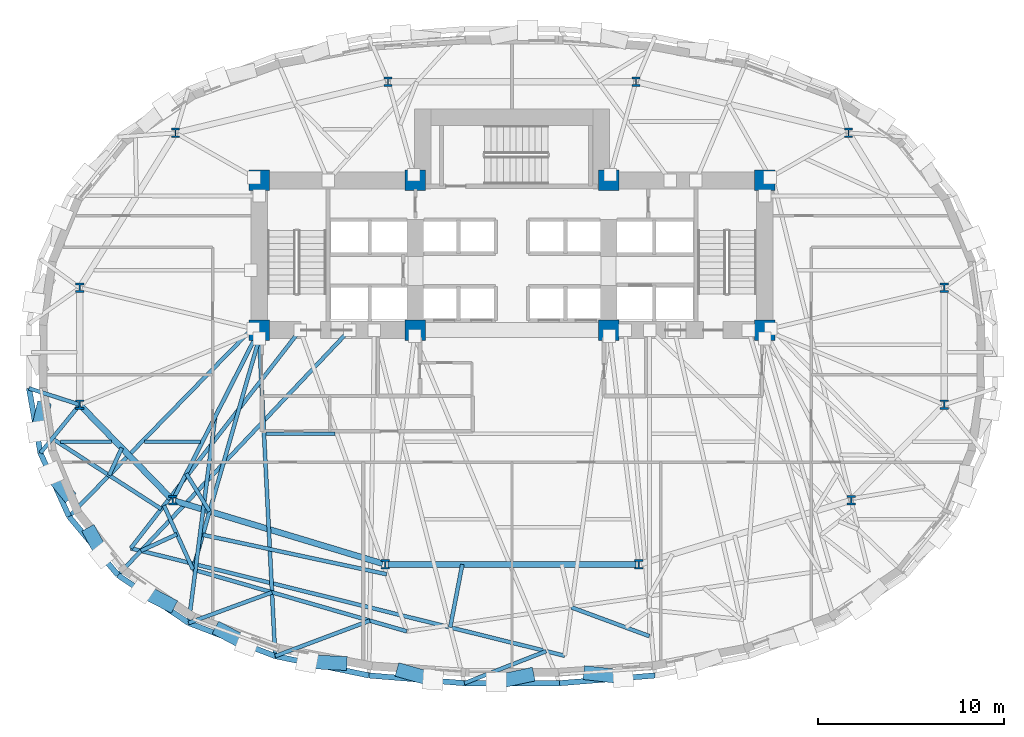
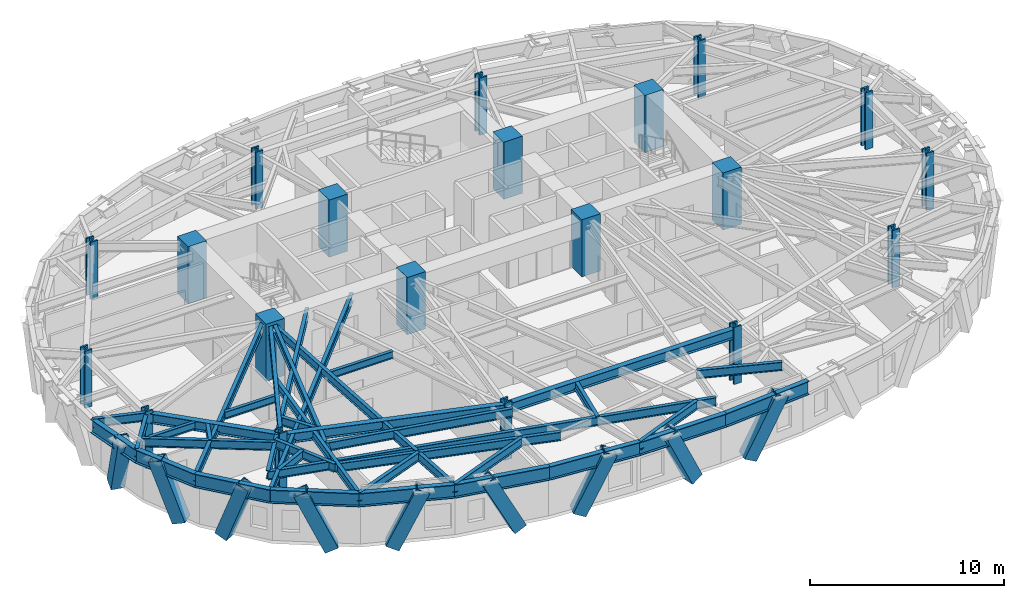
# One storey, part 1 of 13: 37 beams, 20 columns, 9 members.
"""IFC4 building model written with IfcOpenShell, lengths in metres."""

from ifc_helpers import new_model, si_unit, direction, frame, origin, origin_2d, place, context, subcontext, project, spatial, rectangle, hollow_rectangle, i_section, extrude, material, material_profile, profile_set, type_object, element, save


model = new_model("IFC4")

# Units and contexts
model_context = context("Model", 3, precision=1e-05, world=origin(), true_north=direction((0.0, 1.0)))
body_context = subcontext(model_context, "Body", "Model", "MODEL_VIEW")
ifc_project = project(units=[si_unit("LENGTHUNIT", "METRE"), si_unit("AREAUNIT", "SQUARE_METRE"), si_unit("VOLUMEUNIT", "CUBIC_METRE"), si_unit("PLANEANGLEUNIT", "RADIAN"), si_unit("MASSUNIT", "GRAM", prefix="KILO")], contexts=[model_context])

# Site, building, storey
site_placement = place(None, origin())
site = spatial("IfcSite", under=ifc_project, at=site_placement, CompositionType="ELEMENT")
building_placement = place(site_placement, origin())
building = spatial("IfcBuilding", under=site, at=building_placement, Name="Keldmark Tower", CompositionType="ELEMENT")
storey_placement = place(building_placement, frame((0.0, 0.0, 30.60009765625)))
storey = spatial("IfcBuildingStorey", under=building, at=storey_placement, Name="L07", CompositionType="ELEMENT", Elevation=30.60009765625)

# Columns
ifc_material_1 = material(Name="Concrete C70/85", Category="concrete")
ifc_material_profile_1 = material_profile(ifc_material_1, rectangle(XDim=1.10009765625, YDim=1.10009765625, at=origin_2d()), Name="RC1100X1100")
ifc_profile_set_1 = profile_set([ifc_material_profile_1], Name="Concrete C70/85")
column_type_1 = type_object("IfcColumnType", Name="Core Boundary Column RC1100", PredefinedType="COLUMN", material=ifc_profile_set_1)
for number, where, z_axis, x_axis, name in (
    (1, (-13.60009765625, 1.39990234375, 0.0), (0.0, 0.0, 1.0), (1.0, 0.0, 0.0), "L07 Core Boundary Column CC-W1"),
    (2, (-13.60009765625, 9.449951171875, 0.0), (0.0, 0.0, 1.0), (1.0, 0.0, 0.0), "L07 Core Boundary Column CC-W2"),
    (3, (-5.199951171875, 1.39990234375, 0.0), (0.0, 0.0, 1.0), (1.0, 0.0, 0.0), "L07 Core Boundary Column CC-W3"),
    (4, (-5.199951171875, 9.449951171875, 0.0), (0.0, 0.0, 1.0), (1.0, 0.0, 0.0), "L07 Core Boundary Column CC-W4"),
    (5, (5.199951171875, 1.39990234375, 0.0), (0.0, 0.0, 1.0), (1.0, 0.0, 0.0), "L07 Core Boundary Column CC-E1"),
    (6, (5.199951171875, 9.449951171875, 0.0), (0.0, 0.0, 1.0), (1.0, 0.0, 0.0), "L07 Core Boundary Column CC-E2"),
    (7, (13.60009765625, 1.39990234375, 0.0), (0.0, 0.0, 1.0), (1.0, 0.0, 0.0), "L07 Core Boundary Column CC-E3"),
    (8, (13.60009765625, 9.449951171875, 0.0), (0.0, 0.0, 1.0), (1.0, 0.0, 0.0), "L07 Core Boundary Column CC-E4"),
):
    element("IfcColumn", number, at=place(storey_placement, frame(where, z_axis=z_axis, x_axis=x_axis)), inside=storey, type_object=column_type_1, Name=name, PredefinedType="COLUMN", context=body_context, shape_type="SweptSolid", body=[
        extrude(rectangle(XDim=1.10009765625, YDim=1.10009765625, at=origin_2d()), origin(), (0.0, 0.0, 1.0), 3.599853515625),
    ])
ifc_material_2 = material(Name="Steel ASTM A992 Grade 50", Category="steel")
ifc_material_profile_2 = material_profile(ifc_material_2, i_section(OverallWidth=0.43701171875, OverallDepth=0.513916015625, WebThickness=0.060546875, FlangeThickness=0.096923828125, at=origin_2d()), Name="W14X550")
ifc_profile_set_2 = profile_set([ifc_material_profile_2], Name="Steel ASTM A992 Grade 50")
column_type_2 = type_object("IfcColumnType", Name="Tower Gravity Column W14X550", PredefinedType="COLUMN", material=ifc_profile_set_2)
for number, where, z_axis, x_axis, name in (
    (9, (23.25390625, 3.67724609375, 0.0), (0.0, 0.0, 1.0), (1.0, 0.0, 0.0), "L07 Tower Gravity Column TC-E1"),
    (10, (18.09765625, 12.00732421875, 0.0), (0.0, 0.0, 1.0), (1.0, 0.0, 0.0), "L07 Tower Gravity Column TC-E4"),
    (11, (6.6650390625, 14.760009765625, 0.0), (0.0, 0.0, 1.0), (1.0, 0.0, 0.0), "L07 Tower Gravity Column TC-N2"),
    (12, (-6.6650390625, 14.760009765625, 0.0), (0.0, 0.0, 1.0), (1.0, 0.0, 0.0), "L07 Tower Gravity Column TC-N1"),
    (13, (-18.09765625, 12.00732421875, 0.0), (0.0, 0.0, 1.0), (1.0, 0.0, 0.0), "L07 Tower Gravity Column TC-W4"),
    (14, (-23.25390625, 3.67724609375, 0.0), (0.0, 0.0, 1.0), (1.0, 0.0, 0.0), "L07 Tower Gravity Column TC-W1"),
    (15, (-23.25390625, -2.61328125, 0.0), (0.0, 0.0, 1.0), (1.0, 0.0, 0.0), "L07 Tower Gravity Column TC-W5"),
    (16, (-18.252685546875, -7.755615234375, 0.0), (0.0, 0.0, 1.0), (1.0, 0.0, 0.0), "L07 Tower Gravity Column TC-W2"),
    (17, (-6.822021484375, -11.205810546875, 0.0), (0.0, 0.0, 1.0), (1.0, 0.0, 0.0), "L07 Tower Gravity Column TC-W3"),
    (18, (6.822021484375, -11.205810546875, 0.0), (0.0, 0.0, 1.0), (1.0, 0.0, 0.0), "L07 Tower Gravity Column TC-E3"),
    (19, (18.252685546875, -7.755615234375, 0.0), (0.0, 0.0, 1.0), (1.0, 0.0, 0.0), "L07 Tower Gravity Column TC-E2"),
    (20, (23.25390625, -2.61328125, 0.0), (0.0, 0.0, 1.0), (1.0, 0.0, 0.0), "L07 Tower Gravity Column TC-E5"),
):
    element("IfcColumn", number, at=place(storey_placement, frame(where, z_axis=z_axis, x_axis=x_axis)), inside=storey, type_object=column_type_2, Name=name, PredefinedType="COLUMN", context=body_context, shape_type="SweptSolid", body=[
        extrude(i_section(OverallWidth=0.43701171875, OverallDepth=0.513916015625, WebThickness=0.060546875, FlangeThickness=0.096923828125, at=origin_2d()), origin(), (0.0, 0.0, 1.0), 3.599853515625),
    ])

# Beams
ifc_material_3 = material(Name="Steel ASTM A992 Grade 50", Category="steel")
ifc_material_profile_3 = material_profile(ifc_material_3, i_section(OverallWidth=0.19091796875, OverallDepth=0.45703125, WebThickness=0.009033203125, FlangeThickness=0.014404296875, at=origin_2d()), Name="W18X50")
ifc_profile_set_3 = profile_set([ifc_material_profile_3], Name="Steel ASTM A992 Grade 50")
beam_type_1 = type_object("IfcBeamType", Name="Composite Floor Joist W18X50", PredefinedType="JOIST", material=ifc_profile_set_3)
beam_1_placement = place(storey_placement, frame((-24.293212890625, -4.60009765625, 3.17138671875), z_axis=(1.0, 0.0, 0.0), x_axis=(0.0, 1.0, 0.0)))
element("IfcBeam", 21, at=beam_1_placement, inside=storey, type_object=beam_type_1, Name="L07 Composite Floor Joist J05", PredefinedType="JOIST", context=body_context, shape_type="SweptSolid", body=[
    extrude(i_section(OverallWidth=0.19091796875, OverallDepth=0.45703125, WebThickness=0.009033203125, FlangeThickness=0.014404296875, at=origin_2d()), origin(), (0.0, 0.0, 1.0), 2.756103515625),
])
beam_2_placement = place(storey_placement, frame((-19.76708984375, -4.60009765625, 3.17138671875), z_axis=(1.0, 0.0, 0.0), x_axis=(0.0, 1.0, 0.0)))
element("IfcBeam", 22, at=beam_2_placement, inside=storey, type_object=beam_type_1, Name="L07 Composite Floor Joist J06", PredefinedType="JOIST", context=body_context, shape_type="SweptSolid", body=[
    extrude(i_section(OverallWidth=0.19091796875, OverallDepth=0.45703125, WebThickness=0.009033203125, FlangeThickness=0.014404296875, at=origin_2d()), origin(), (0.0, 0.0, 1.0), 3.00732421875),
])
beam_3_placement = place(storey_placement, frame((-13.2451171875, -4.179931640625, 3.17138671875), z_axis=(1.0, 0.0, 0.0), x_axis=(0.0, 1.0, 0.0)))
element("IfcBeam", 23, at=beam_3_placement, inside=storey, type_object=beam_type_1, Name="L07 Composite Floor Joist J07", PredefinedType="JOIST", context=body_context, shape_type="SweptSolid", body=[
    extrude(i_section(OverallWidth=0.19091796875, OverallDepth=0.45703125, WebThickness=0.009033203125, FlangeThickness=0.014404296875, at=origin_2d()), origin(), (0.0, 0.0, 1.0), 3.724609375),
])

# Members
ifc_material_4 = material(Name="Steel ASTM A572 Grade 50", Category="steel")
ifc_material_profile_4 = material_profile(ifc_material_4, hollow_rectangle(XDim=0.75, YDim=0.75, WallThickness=0.06494140625, at=origin_2d()), Name="BOX750X750X65")
ifc_profile_set_4 = profile_set([ifc_material_profile_4], Name="Steel ASTM A572 Grade 50")
member_type = type_object("IfcMemberType", Name="Diagrid Lower Brace BOX750X750X65", PredefinedType="BRACE", material=ifc_profile_set_4)
member_1_placement = place(storey_placement, frame((-25.229736328125, -2.833984375, -0.280029296875), z_axis=(-0.075225400838, -0.321423507025, 0.943942831002), x_axis=(0.973689104632, -0.227880511497, 0.0)))
element("IfcMember", 24, at=member_1_placement, inside=storey, type_object=member_type, Name="L07 Perimeter Diagrid Brace 09A", PredefinedType="BRACE", context=body_context, shape_type="SweptSolid", body=[
    extrude(hollow_rectangle(XDim=0.75, YDim=0.75, WallThickness=0.06494140625, at=origin_2d()), origin(), (0.0, 0.0, 1.0), 3.771240234375),
])
member_2_placement = place(storey_placement, frame((-23.956787109375, -7.371826171875, -0.280029296875), z_axis=(-0.221303078076, 0.27330641235, 0.936124218575), x_axis=(-0.777168338782, -0.62929275635, 0.0)))
element("IfcMember", 25, at=member_2_placement, inside=storey, type_object=member_type, Name="L07 Perimeter Diagrid Brace 09B", PredefinedType="BRACE", context=body_context, shape_type="SweptSolid", body=[
    extrude(hollow_rectangle(XDim=0.75, YDim=0.75, WallThickness=0.06494140625, at=origin_2d()), origin(), (0.0, 0.0, 1.0), 3.802734375),
])
member_3_placement = place(storey_placement, frame((-22.650390625, -9.545654296875, -0.280029296875), z_axis=(0.165332061105, -0.304609847989, 0.93801820349), x_axis=(0.878886784033, 0.477030419211, 0.0)))
element("IfcMember", 26, at=member_3_placement, inside=storey, type_object=member_type, Name="L07 Perimeter Diagrid Brace 10A", PredefinedType="BRACE", context=body_context, shape_type="SweptSolid", body=[
    extrude(hollow_rectangle(XDim=0.75, YDim=0.75, WallThickness=0.06494140625, at=origin_2d()), origin(), (0.0, 0.0, 1.0), 3.794921875),
])
member_4_placement = place(storey_placement, frame((-18.45849609375, -13.341796875, -0.280029296875), z_axis=(-0.365181003945, 0.18946655648, 0.911452279789), x_axis=(-0.46053446797, -0.887641821802, 0.0)))
element("IfcMember", 27, at=member_4_placement, inside=storey, type_object=member_type, Name="L07 Perimeter Diagrid Brace 10B", PredefinedType="BRACE", context=body_context, shape_type="SweptSolid", body=[
    extrude(hollow_rectangle(XDim=0.75, YDim=0.75, WallThickness=0.06494140625, at=origin_2d()), origin(), (0.0, 0.0, 1.0), 3.90576171875),
])
member_5_placement = place(storey_placement, frame((-15.656005859375, -14.754638671875, -0.280029296875), z_axis=(0.359953436715, -0.190780958454, 0.913255796197), x_axis=(0.468304439483, 0.88356717456, 0.0)))
element("IfcMember", 28, at=member_5_placement, inside=storey, type_object=member_type, Name="L07 Perimeter Diagrid Brace 11A", PredefinedType="BRACE", context=body_context, shape_type="SweptSolid", body=[
    extrude(hollow_rectangle(XDim=0.75, YDim=0.75, WallThickness=0.06494140625, at=origin_2d()), origin(), (0.0, 0.0, 1.0), 3.89794921875),
])
member_6_placement = place(storey_placement, frame((-9.212646484375, -16.5234375, -0.280029296875), z_axis=(-0.454340439565, 0.022597924807, 0.890541463813), x_axis=(-0.049676459756, -0.998765362508, 0.0)))
element("IfcMember", 29, at=member_6_placement, inside=storey, type_object=member_type, Name="L07 Perimeter Diagrid Brace 11B", PredefinedType="BRACE", context=body_context, shape_type="SweptSolid", body=[
    extrude(hollow_rectangle(XDim=0.75, YDim=0.75, WallThickness=0.06494140625, at=origin_2d()), origin(), (0.0, 0.0, 1.0), 3.997314453125),
])
member_7_placement = place(storey_placement, frame((-5.864013671875, -16.95068359375, -0.280029296875), z_axis=(0.409407161266, -0.114286366018, 0.905165400822), x_axis=(0.26887144066, 0.963176073414, 0.0)))
element("IfcMember", 30, at=member_7_placement, inside=storey, type_object=member_type, Name="L07 Perimeter Diagrid Brace 12A", PredefinedType="BRACE", context=body_context, shape_type="SweptSolid", body=[
    extrude(hollow_rectangle(XDim=0.75, YDim=0.75, WallThickness=0.06494140625, at=origin_2d()), origin(), (0.0, 0.0, 1.0), 3.932861328125),
])
member_8_placement = place(storey_placement, frame((0.841796875, -17.17822265625, -0.280029296875), z_axis=(-0.426891227768, -0.090586343215, 0.899754407645), x_axis=(0.207578015092, -0.978218466218, 0.0)))
element("IfcMember", 31, at=member_8_placement, inside=storey, type_object=member_type, Name="L07 Perimeter Diagrid Brace 12B", PredefinedType="BRACE", context=body_context, shape_type="SweptSolid", body=[
    extrude(hollow_rectangle(XDim=0.75, YDim=0.75, WallThickness=0.06494140625, at=origin_2d()), origin(), (0.0, 0.0, 1.0), 3.95654296875),
])
member_9_placement = place(storey_placement, frame((4.188720703125, -17.063232421875, -0.280029296875), z_axis=(0.448411907216, -0.049089045808, 0.892478026087), x_axis=(0.108822964679, 0.994061146187, 0.0)))
element("IfcMember", 32, at=member_9_placement, inside=storey, type_object=member_type, Name="L07 Perimeter Diagrid Brace 13A", PredefinedType="BRACE", context=body_context, shape_type="SweptSolid", body=[
    extrude(hollow_rectangle(XDim=0.75, YDim=0.75, WallThickness=0.06494140625, at=origin_2d()), origin(), (0.0, 0.0, 1.0), 3.98876953125),
])

# Beams
ifc_material_5 = material(Name="Steel ASTM A992 Grade 50", Category="steel")
ifc_material_profile_5 = material_profile(ifc_material_5, i_section(OverallWidth=0.323974609375, OverallDepth=0.611083984375, WebThickness=0.0126953125, FlangeThickness=0.01904296875, at=origin_2d()), Name="W24X104")
ifc_profile_set_5 = profile_set([ifc_material_profile_5], Name="Steel ASTM A992 Grade 50")
beam_type_2 = type_object("IfcBeamType", Name="Primary Floor Girder W24X104", PredefinedType="BEAM", material=ifc_profile_set_5)
beam_4_placement = place(storey_placement, frame((-23.156494140625, -2.713623046875, 3.094482421875), z_axis=(0.697210382268, -0.716866572563, 0.0), x_axis=(0.716866572563, 0.697210382268, 0.0)))
element("IfcBeam", 33, at=beam_4_placement, inside=storey, type_object=beam_type_2, Name="L07 Floor Ring Girder FG-R07", PredefinedType="BEAM", context=body_context, shape_type="SweptSolid", body=[
    extrude(i_section(OverallWidth=0.323974609375, OverallDepth=0.611083984375, WebThickness=0.0126953125, FlangeThickness=0.01904296875, at=origin_2d()), origin(), (0.0, 0.0, 1.0), 6.893310546875),
])
beam_5_placement = place(storey_placement, frame((-18.118896484375, -7.796142578125, 3.094482421875), z_axis=(0.957346071406, -0.2889437654, 0.0), x_axis=(0.2889437654, 0.957346071406, 0.0)))
element("IfcBeam", 34, at=beam_5_placement, inside=storey, type_object=beam_type_2, Name="L07 Floor Ring Girder FG-R08", PredefinedType="BEAM", context=body_context, shape_type="SweptSolid", body=[
    extrude(i_section(OverallWidth=0.323974609375, OverallDepth=0.611083984375, WebThickness=0.0126953125, FlangeThickness=0.01904296875, at=origin_2d()), origin(), (0.0, 0.0, 1.0), 11.66015625),
])
beam_6_placement = place(storey_placement, frame((-6.68212890625, -11.205810546875, 3.094482421875), z_axis=(1.0, 0.0, 0.0), x_axis=(0.0, 1.0, 0.0)))
element("IfcBeam", 35, at=beam_6_placement, inside=storey, type_object=beam_type_2, Name="L07 Floor Ring Girder FG-R09", PredefinedType="BEAM", context=body_context, shape_type="SweptSolid", body=[
    extrude(i_section(OverallWidth=0.323974609375, OverallDepth=0.611083984375, WebThickness=0.0126953125, FlangeThickness=0.01904296875, at=origin_2d()), origin(), (0.0, 0.0, 1.0), 13.3642578125),
])
ifc_material_6 = material(Name="Steel ASTM A992 Grade 50", Category="steel")
ifc_material_profile_6 = material_profile(ifc_material_6, i_section(OverallWidth=0.2099609375, OverallDepth=0.537109375, WebThickness=0.010986328125, FlangeThickness=0.017333984375, at=origin_2d()), Name="W21X68")
ifc_profile_set_6 = profile_set([ifc_material_profile_6], Name="Steel ASTM A992 Grade 50")
beam_type_3 = type_object("IfcBeamType", Name="Radial Tie Girder W21X68", PredefinedType="BEAM", material=ifc_profile_set_6)
beam_7_placement = place(storey_placement, frame((-17.522705078125, -6.319091796875, 3.13134765625), z_axis=(0.524228528876, -0.851577623891, 0.0), x_axis=(0.851577623891, 0.524228528876, 0.0)))
element("IfcBeam", 36, at=beam_7_placement, inside=storey, type_object=beam_type_3, Name="L07 Framing Pin Header PH-001", PredefinedType="BEAM", context=body_context, shape_type="SweptSolid", body=[
    extrude(i_section(OverallWidth=0.2099609375, OverallDepth=0.537109375, WebThickness=0.010986328125, FlangeThickness=0.017333984375, at=origin_2d()), origin(), (0.0, 0.0, 1.0), 2.3896484375),
])
beam_8_placement = place(storey_placement, frame((-13.60009765625, 0.949951171875, 3.13134765625), z_axis=(-0.275828214554, -0.961206947569, 0.0), x_axis=(0.961206947569, -0.275828214554, 0.0)))
element("IfcBeam", 37, at=beam_8_placement, inside=storey, type_object=beam_type_3, Name="L07 Sub-Ring Step Girder STP1-M08", PredefinedType="BEAM", context=body_context, shape_type="SweptSolid", body=[
    extrude(i_section(OverallWidth=0.2099609375, OverallDepth=0.537109375, WebThickness=0.010986328125, FlangeThickness=0.017333984375, at=origin_2d()), origin(), (0.0, 0.0, 1.0), 12.9296875),
])
beam_9_placement = place(storey_placement, frame((-16.631591796875, -9.614013671875, 3.13134765625), z_axis=(0.977745490429, -0.209794556521, 0.0), x_axis=(0.209794556521, 0.977745490429, 0.0)))
element("IfcBeam", 38, at=beam_9_placement, inside=storey, type_object=beam_type_3, Name="L07 Framing Pin Header PH-002", PredefinedType="BEAM", context=body_context, shape_type="SweptSolid", body=[
    extrude(i_section(OverallWidth=0.2099609375, OverallDepth=0.537109375, WebThickness=0.010986328125, FlangeThickness=0.017333984375, at=origin_2d()), origin(), (0.0, 0.0, 1.0), 10.111572265625),
])
beam_10_placement = place(storey_placement, frame((-17.16650390625, -11.478271484375, 3.13134765625), z_axis=(0.960599634971, -0.277935858236, 0.0), x_axis=(0.277935858236, 0.960599634971, 0.0)))
element("IfcBeam", 39, at=beam_10_placement, inside=storey, type_object=beam_type_3, Name="L07 Perimeter Collector Ring Beam CRG1-M08", PredefinedType="BEAM", context=body_context, shape_type="SweptSolid", body=[
    extrude(i_section(OverallWidth=0.2099609375, OverallDepth=0.537109375, WebThickness=0.010986328125, FlangeThickness=0.017333984375, at=origin_2d()), origin(), (0.0, 0.0, 1.0), 11.98046875),
])
beam_11_placement = place(storey_placement, frame((-17.16650390625, -11.478271484375, 3.13134765625), z_axis=(-0.412132103699, 0.911124101921, 0.0), x_axis=(-0.911124101921, -0.412132103699, 0.0)))
element("IfcBeam", 40, at=beam_11_placement, inside=storey, type_object=beam_type_3, Name="L07 Framing Pin Header PH-004", PredefinedType="BEAM", context=body_context, shape_type="SweptSolid", body=[
    extrude(i_section(OverallWidth=0.2099609375, OverallDepth=0.537109375, WebThickness=0.010986328125, FlangeThickness=0.017333984375, at=origin_2d()), origin(), (0.0, 0.0, 1.0), 3.777587890625),
])
beam_12_placement = place(storey_placement, frame((-11.392822265625, 1.39990234375, 3.13134765625), z_axis=(-0.613469804631, -0.789718176824, 0.0), x_axis=(0.789718176824, -0.613469804631, 0.0)))
element("IfcBeam", 41, at=beam_12_placement, inside=storey, type_object=beam_type_3, Name="L07 Sub-Ring Step Girder STP2-M08", PredefinedType="BEAM", context=body_context, shape_type="SweptSolid", body=[
    extrude(i_section(OverallWidth=0.2099609375, OverallDepth=0.537109375, WebThickness=0.010986328125, FlangeThickness=0.017333984375, at=origin_2d()), origin(), (0.0, 0.0, 1.0), 14.865966796875),
])
beam_13_placement = place(storey_placement, frame((-20.5126953125, -10.340087890625, 3.13134765625), z_axis=(0.970698837567, -0.240299327396, 0.0), x_axis=(0.240299327396, 0.970698837567, 0.0)))
element("IfcBeam", 42, at=beam_13_placement, inside=storey, type_object=beam_type_3, Name="L07 Perimeter Collector Ring Beam CRG2-M08", PredefinedType="BEAM", context=body_context, shape_type="SweptSolid", body=[
    extrude(i_section(OverallWidth=0.2099609375, OverallDepth=0.537109375, WebThickness=0.010986328125, FlangeThickness=0.017333984375, at=origin_2d()), origin(), (0.0, 0.0, 1.0), 24.05029296875),
])
beam_14_placement = place(storey_placement, frame((-23.25390625, -2.61328125, 3.13134765625), z_axis=(-0.951728677703, 0.306940587146, 0.0), x_axis=(-0.306940587146, -0.951728677703, 0.0)))
element("IfcBeam", 43, at=beam_14_placement, inside=storey, type_object=beam_type_3, Name="L07 Perimeter Column Bracket RT-17", PredefinedType="BEAM", context=body_context, shape_type="SweptSolid", body=[
    extrude(i_section(OverallWidth=0.2099609375, OverallDepth=0.537109375, WebThickness=0.010986328125, FlangeThickness=0.017333984375, at=origin_2d()), origin(), (0.0, 0.0, 1.0), 2.867431640625),
])
beam_15_placement = place(storey_placement, frame((-23.25390625, -2.61328125, 3.13134765625), z_axis=(-0.631179636321, -0.775636684726, 0.0), x_axis=(0.775636684726, -0.631179636321, 0.0)))
element("IfcBeam", 44, at=beam_15_placement, inside=storey, type_object=beam_type_3, Name="L07 Perimeter Column Bracket RT-18", PredefinedType="BEAM", context=body_context, shape_type="SweptSolid", body=[
    extrude(i_section(OverallWidth=0.2099609375, OverallDepth=0.537109375, WebThickness=0.010986328125, FlangeThickness=0.017333984375, at=origin_2d()), origin(), (0.0, 0.0, 1.0), 3.349609375),
])
beam_16_placement = place(storey_placement, frame((-24.73388671875, -4.431884765625, 3.13134765625), z_axis=(0.839713624055, -0.543029492364, 0.0), x_axis=(0.543029492364, 0.839713624055, 0.0)))
element("IfcBeam", 45, at=beam_16_placement, inside=storey, type_object=beam_type_3, Name="L07 Framing Pin Header PH-012", PredefinedType="BEAM", context=body_context, shape_type="SweptSolid", body=[
    extrude(i_section(OverallWidth=0.2099609375, OverallDepth=0.537109375, WebThickness=0.010986328125, FlangeThickness=0.017333984375, at=origin_2d()), origin(), (0.0, 0.0, 1.0), 6.98388671875),
])
beam_17_placement = place(storey_placement, frame((-18.022705078125, -9.585205078125, 3.13134765625), z_axis=(-0.908900581522, -0.417012868997, 0.0), x_axis=(0.417012868997, -0.908900581522, 0.0)))
element("IfcBeam", 46, at=beam_17_placement, inside=storey, type_object=beam_type_3, Name="L07 Framing Pin Header PH-013", PredefinedType="BEAM", context=body_context, shape_type="SweptSolid", body=[
    extrude(i_section(OverallWidth=0.2099609375, OverallDepth=0.537109375, WebThickness=0.010986328125, FlangeThickness=0.017333984375, at=origin_2d()), origin(), (0.0, 0.0, 1.0), 2.1357421875),
])
beam_18_placement = place(storey_placement, frame((-8.735595703125, 1.39990234375, 3.13134765625), z_axis=(-0.687011511609, -0.726646532309, 0.0), x_axis=(0.726646532309, -0.687011511609, 0.0)))
element("IfcBeam", 47, at=beam_18_placement, inside=storey, type_object=beam_type_3, Name="L07 Perimeter Radial Tie Girder RT-20", PredefinedType="BEAM", context=body_context, shape_type="SweptSolid", body=[
    extrude(i_section(OverallWidth=0.2099609375, OverallDepth=0.537109375, WebThickness=0.010986328125, FlangeThickness=0.017333984375, at=origin_2d()), origin(), (0.0, 0.0, 1.0), 18.140380859375),
])
beam_19_placement = place(storey_placement, frame((-15.96728515625, -3.258056640625, 3.13134765625), z_axis=(-0.127769184371, -0.991803929981, 0.0), x_axis=(0.991803929981, -0.127769184371, 0.0)))
element("IfcBeam", 48, at=beam_19_placement, inside=storey, type_object=beam_type_3, Name="L07 Perimeter Radial Tie Girder RT-21", PredefinedType="BEAM", context=body_context, shape_type="SweptSolid", body=[
    extrude(i_section(OverallWidth=0.2099609375, OverallDepth=0.537109375, WebThickness=0.010986328125, FlangeThickness=0.017333984375, at=origin_2d()), origin(), (0.0, 0.0, 1.0), 11.189697265625),
])
beam_20_placement = place(storey_placement, frame((-17.39697265625, -14.35595703125, 3.13134765625), z_axis=(0.938785461457, 0.344502332876, 0.0), x_axis=(-0.344502332876, 0.938785461457, 0.0)))
element("IfcBeam", 49, at=beam_20_placement, inside=storey, type_object=beam_type_3, Name="L07 Framing Pin Header PH-014", PredefinedType="BEAM", context=body_context, shape_type="SweptSolid", body=[
    extrude(i_section(OverallWidth=0.2099609375, OverallDepth=0.537109375, WebThickness=0.010986328125, FlangeThickness=0.017333984375, at=origin_2d()), origin(), (0.0, 0.0, 1.0), 4.778564453125),
])
beam_21_placement = place(storey_placement, frame((-13.60009765625, 0.949951171875, 3.13134765625), z_axis=(0.050380957591, -0.998730073199, 0.0), x_axis=(0.998730073199, 0.050380957591, 0.0)))
element("IfcBeam", 50, at=beam_21_placement, inside=storey, type_object=beam_type_3, Name="L07 Perimeter Radial Tie Girder RT-22", PredefinedType="BEAM", context=body_context, shape_type="SweptSolid", body=[
    extrude(i_section(OverallWidth=0.2099609375, OverallDepth=0.537109375, WebThickness=0.010986328125, FlangeThickness=0.017333984375, at=origin_2d()), origin(), (0.0, 0.0, 1.0), 17.11083984375),
])
beam_22_placement = place(storey_placement, frame((-12.738037109375, -16.13916015625, 3.13134765625), z_axis=(0.936384556318, 0.350975729487, 0.0), x_axis=(-0.350975729487, 0.936384556318, 0.0)))
element("IfcBeam", 51, at=beam_22_placement, inside=storey, type_object=beam_type_3, Name="L07 Framing Pin Header PH-015", PredefinedType="BEAM", context=body_context, shape_type="SweptSolid", body=[
    extrude(i_section(OverallWidth=0.2099609375, OverallDepth=0.537109375, WebThickness=0.010986328125, FlangeThickness=0.017333984375, at=origin_2d()), origin(), (0.0, 0.0, 1.0), 5.43408203125),
])
beam_23_placement = place(storey_placement, frame((-2.6728515625, -11.205810546875, 3.13134765625), z_axis=(-0.189023186531, -0.98197262434, 0.0), x_axis=(0.98197262434, -0.189023186531, 0.0)))
element("IfcBeam", 52, at=beam_23_placement, inside=storey, type_object=beam_type_3, Name="L07 Framing Pin Header PH-016", PredefinedType="BEAM", context=body_context, shape_type="SweptSolid", body=[
    extrude(i_section(OverallWidth=0.2099609375, OverallDepth=0.537109375, WebThickness=0.010986328125, FlangeThickness=0.017333984375, at=origin_2d()), origin(), (0.0, 0.0, 1.0), 3.451171875),
])
beam_24_placement = place(storey_placement, frame((-2.55908203125, -17.59619140625, 3.13134765625), z_axis=(0.931063432405, 0.364857348615, 0.0), x_axis=(-0.364857348615, 0.931063432405, 0.0)))
element("IfcBeam", 53, at=beam_24_placement, inside=storey, type_object=beam_type_3, Name="L07 Framing Pin Header PH-017", PredefinedType="BEAM", context=body_context, shape_type="SweptSolid", body=[
    extrude(i_section(OverallWidth=0.2099609375, OverallDepth=0.537109375, WebThickness=0.010986328125, FlangeThickness=0.017333984375, at=origin_2d()), origin(), (0.0, 0.0, 1.0), 4.722900390625),
])
beam_25_placement = place(storey_placement, frame((3.194091796875, -13.516845703125, 3.13134765625), z_axis=(0.938092924137, -0.346383697196, 0.0), x_axis=(0.346383697196, 0.938092924137, 0.0)))
element("IfcBeam", 54, at=beam_25_placement, inside=storey, type_object=beam_type_3, Name="L07 Local Collector Chord RT-26C", PredefinedType="BEAM", context=body_context, shape_type="SweptSolid", body=[
    extrude(i_section(OverallWidth=0.2099609375, OverallDepth=0.537109375, WebThickness=0.010986328125, FlangeThickness=0.017333984375, at=origin_2d()), origin(), (0.0, 0.0, 1.0), 4.46923828125),
])
beam_26_placement = place(storey_placement, frame((-20.99365234375, -4.937255859375, 3.13134765625), z_axis=(-0.417436411498, -0.908706136413, 0.0), x_axis=(0.908706136413, -0.417436411498, 0.0)))
element("IfcBeam", 55, at=beam_26_placement, inside=storey, type_object=beam_type_3, Name="L07 Framing Pin Header PH-026", PredefinedType="BEAM", context=body_context, shape_type="SweptSolid", body=[
    extrude(i_section(OverallWidth=0.2099609375, OverallDepth=0.537109375, WebThickness=0.010986328125, FlangeThickness=0.017333984375, at=origin_2d()), origin(), (0.0, 0.0, 1.0), 1.62353515625),
])
beam_27_placement = place(storey_placement, frame((-14.050048828125, 1.39990234375, 3.13134765625), z_axis=(-0.698294011865, -0.715811059563, 0.0), x_axis=(0.715811059563, -0.698294011865, 0.0)))
element("IfcBeam", 56, at=beam_27_placement, inside=storey, type_object=beam_type_3, Name="L07 Perimeter Radial Tie Girder RT-19R", PredefinedType="BEAM", context=body_context, shape_type="SweptSolid", body=[
    extrude(i_section(OverallWidth=0.2099609375, OverallDepth=0.537109375, WebThickness=0.010986328125, FlangeThickness=0.017333984375, at=origin_2d()), origin(), (0.0, 0.0, 1.0), 14.007080078125),
])
ifc_material_7 = material(Name="Steel ASTM A992 Grade 50", Category="steel")
ifc_material_profile_7 = material_profile(ifc_material_7, i_section(OverallWidth=0.214111328125, OverallDepth=0.549072265625, WebThickness=0.0146484375, FlangeThickness=0.023681640625, at=origin_2d()), Name="W21X93")
ifc_profile_set_7 = profile_set([ifc_material_profile_7], Name="Steel ASTM A992 Grade 50")
beam_type_4 = type_object("IfcBeamType", Name="Radial Tie Girder W21X93", PredefinedType="BEAM", material=ifc_profile_set_7)
beam_28_placement = place(storey_placement, frame((-18.189453125, -7.630859375, 3.12548828125), z_axis=(0.453037526986, 0.891491446478, 0.0), x_axis=(-0.891491446478, 0.453037526986, 0.0)))
element("IfcBeam", 57, at=beam_28_placement, inside=storey, type_object=beam_type_4, Name="L07 Floor Radial Girder FG-C08", PredefinedType="BEAM", context=body_context, shape_type="SweptSolid", body=[
    extrude(i_section(OverallWidth=0.214111328125, OverallDepth=0.549072265625, WebThickness=0.0146484375, FlangeThickness=0.023681640625, at=origin_2d()), origin(), (0.0, 0.0, 1.0), 9.81005859375),
])
ifc_material_8 = material(Name="Steel ASTM A992 Grade 50", Category="steel")
ifc_material_profile_8 = material_profile(ifc_material_8, i_section(OverallWidth=0.2919921875, OverallDepth=0.85888671875, WebThickness=0.01708984375, FlangeThickness=0.031005859375, at=origin_2d()), Name="W33X169")
ifc_profile_set_8 = profile_set([ifc_material_profile_8], Name="Steel ASTM A992 Grade 50")
beam_type_5 = type_object("IfcBeamType", Name="Spandrel Ring Beam W33X169", PredefinedType="SPANDREL", material=ifc_profile_set_8)
beam_29_placement = place(storey_placement, frame((-25.98291015625, -1.733154296875, 2.970458984375), z_axis=(0.174041624961, -0.984738296595, 0.0), x_axis=(0.984738296595, 0.174041624961, 0.0)))
element("IfcBeam", 58, at=beam_29_placement, inside=storey, type_object=beam_type_5, Name="L07 Perimeter Spandrel Ring Beam SRB-17", PredefinedType="SPANDREL", context=body_context, shape_type="SweptSolid", body=[
    extrude(i_section(OverallWidth=0.2919921875, OverallDepth=0.85888671875, WebThickness=0.01708984375, FlangeThickness=0.031005859375, at=origin_2d()), origin(), (0.0, 0.0, 1.0), 3.5322265625),
])
beam_30_placement = place(storey_placement, frame((-25.3681640625, -5.21142578125, 2.970458984375), z_axis=(0.41044057359, -0.911887348059, 0.0), x_axis=(0.911887348059, 0.41044057359, 0.0)))
element("IfcBeam", 59, at=beam_30_placement, inside=storey, type_object=beam_type_5, Name="L07 Perimeter Spandrel Ring Beam SRB-18", PredefinedType="SPANDREL", context=body_context, shape_type="SweptSolid", body=[
    extrude(i_section(OverallWidth=0.2919921875, OverallDepth=0.85888671875, WebThickness=0.01708984375, FlangeThickness=0.031005859375, at=origin_2d()), origin(), (0.0, 0.0, 1.0), 3.7451171875),
])
beam_31_placement = place(storey_placement, frame((-23.8310546875, -8.62646484375, 2.970458984375), z_axis=(0.640675130162, -0.767812071793, 0.0), x_axis=(0.767812071793, 0.640675130162, 0.0)))
element("IfcBeam", 60, at=beam_31_placement, inside=storey, type_object=beam_type_5, Name="L07 Perimeter Spandrel Ring Beam SRB-19", PredefinedType="SPANDREL", context=body_context, shape_type="SweptSolid", body=[
    extrude(i_section(OverallWidth=0.2919921875, OverallDepth=0.85888671875, WebThickness=0.01708984375, FlangeThickness=0.031005859375, at=origin_2d()), origin(), (0.0, 0.0, 1.0), 4.109375),
])
beam_32_placement = place(storey_placement, frame((-21.1982421875, -11.78173828125, 2.970458984375), z_axis=(0.828003115717, -0.560723497246, 0.0), x_axis=(0.560723497246, 0.828003115717, 0.0)))
element("IfcBeam", 61, at=beam_32_placement, inside=storey, type_object=beam_type_5, Name="L07 Perimeter Spandrel Ring Beam SRB-20", PredefinedType="SPANDREL", context=body_context, shape_type="SweptSolid", body=[
    extrude(i_section(OverallWidth=0.2919921875, OverallDepth=0.85888671875, WebThickness=0.01708984375, FlangeThickness=0.031005859375, at=origin_2d()), origin(), (0.0, 0.0, 1.0), 4.5908203125),
])
beam_33_placement = place(storey_placement, frame((-17.39697265625, -14.35595703125, 2.970458984375), z_axis=(0.933928375579, -0.357460192592, 0.0), x_axis=(0.357460192592, 0.933928375579, 0.0)))
element("IfcBeam", 62, at=beam_33_placement, inside=storey, type_object=beam_type_5, Name="L07 Perimeter Spandrel Ring Beam SRB-21", PredefinedType="SPANDREL", context=body_context, shape_type="SweptSolid", body=[
    extrude(i_section(OverallWidth=0.2919921875, OverallDepth=0.85888671875, WebThickness=0.01708984375, FlangeThickness=0.031005859375, at=origin_2d()), origin(), (0.0, 0.0, 1.0), 4.988525390625),
])
beam_34_placement = place(storey_placement, frame((-12.738037109375, -16.13916015625, 2.970458984375), z_axis=(0.979358594609, -0.202130510231, 0.0), x_axis=(0.202130510231, 0.979358594609, 0.0)))
element("IfcBeam", 63, at=beam_34_placement, inside=storey, type_object=beam_type_5, Name="L07 Perimeter Spandrel Ring Beam SRB-22", PredefinedType="SPANDREL", context=body_context, shape_type="SweptSolid", body=[
    extrude(i_section(OverallWidth=0.2919921875, OverallDepth=0.85888671875, WebThickness=0.01708984375, FlangeThickness=0.031005859375, at=origin_2d()), origin(), (0.0, 0.0, 1.0), 5.14892578125),
])
beam_35_placement = place(storey_placement, frame((-7.6953125, -17.179931640625, 2.970458984375), z_axis=(0.996732038622, -0.080778977367, 0.0), x_axis=(0.080778977367, 0.996732038622, 0.0)))
element("IfcBeam", 64, at=beam_35_placement, inside=storey, type_object=beam_type_5, Name="L07 Perimeter Spandrel Ring Beam SRB-23", PredefinedType="SPANDREL", context=body_context, shape_type="SweptSolid", body=[
    extrude(i_section(OverallWidth=0.2919921875, OverallDepth=0.85888671875, WebThickness=0.01708984375, FlangeThickness=0.031005859375, at=origin_2d()), origin(), (0.0, 0.0, 1.0), 5.153076171875),
])
beam_36_placement = place(storey_placement, frame((-2.55908203125, -17.59619140625, 2.970458984375), z_axis=(1.0, 0.0, 0.0), x_axis=(0.0, 1.0, 0.0)))
element("IfcBeam", 65, at=beam_36_placement, inside=storey, type_object=beam_type_5, Name="L07 Perimeter Spandrel Ring Beam SRB-24", PredefinedType="SPANDREL", context=body_context, shape_type="SweptSolid", body=[
    extrude(i_section(OverallWidth=0.2919921875, OverallDepth=0.85888671875, WebThickness=0.01708984375, FlangeThickness=0.031005859375, at=origin_2d()), origin(), (0.0, 0.0, 1.0), 5.1181640625),
])
beam_37_placement = place(storey_placement, frame((2.55908203125, -17.59619140625, 2.970458984375), z_axis=(0.996732038622, 0.080778977367, 0.0), x_axis=(-0.080778977367, 0.996732038622, 0.0)))
element("IfcBeam", 66, at=beam_37_placement, inside=storey, type_object=beam_type_5, Name="L07 Perimeter Spandrel Ring Beam SRB-25", PredefinedType="SPANDREL", context=body_context, shape_type="SweptSolid", body=[
    extrude(i_section(OverallWidth=0.2919921875, OverallDepth=0.85888671875, WebThickness=0.01708984375, FlangeThickness=0.031005859375, at=origin_2d()), origin(), (0.0, 0.0, 1.0), 5.153076171875),
])

save(model, "model.ifc")
